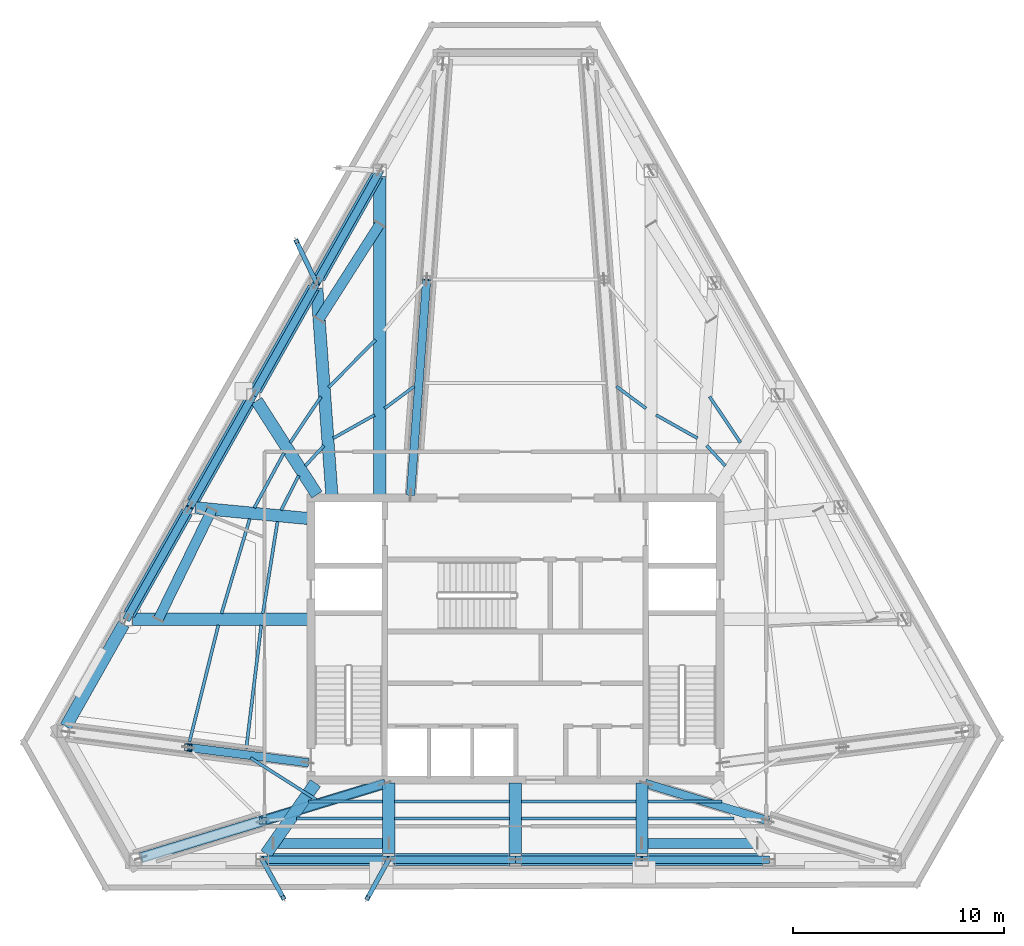
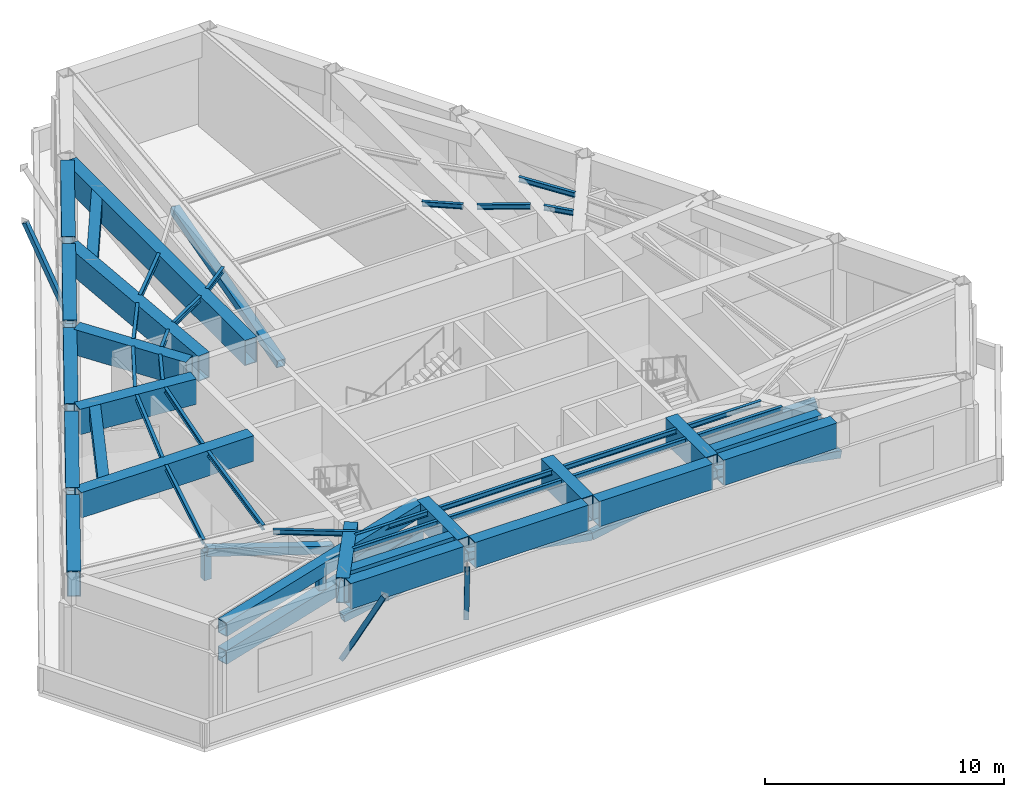
# One storey, part 2 of 13: 48 beams, 17 members.
"""IFC4 building model written with IfcOpenShell, lengths in metres."""

from ifc_helpers import new_model, si_unit, direction, frame, origin, origin_2d, place, context, subcontext, project, spatial, hollow_rectangle, i_section, extrude, material, material_profile, profile_set, type_object, element, save


model = new_model("IFC4")

# Units and contexts
model_context = context("Model", 3, precision=1e-05, world=origin(), true_north=direction((0.0, 1.0)))
body_context = subcontext(model_context, "Body", "Model", "MODEL_VIEW")
ifc_project = project(units=[si_unit("LENGTHUNIT", "METRE"), si_unit("AREAUNIT", "SQUARE_METRE"), si_unit("VOLUMEUNIT", "CUBIC_METRE"), si_unit("PLANEANGLEUNIT", "RADIAN"), si_unit("MASSUNIT", "GRAM", prefix="KILO")], contexts=[model_context])

# Site, building, storey
site_placement = place(None, origin())
site = spatial("IfcSite", under=ifc_project, at=site_placement, CompositionType="ELEMENT")
building_placement = place(site_placement, origin())
building = spatial("IfcBuilding", under=site, at=building_placement, Name="Kavelnor Concourse Tower", CompositionType="ELEMENT")
storey_placement = place(building_placement, frame((0.0, 0.0, 234.300048828125)))
storey = spatial("IfcBuildingStorey", under=building, at=storey_placement, Name="L59", CompositionType="ELEMENT", Elevation=234.300048828125)

# Beams
ifc_material = material(Name="Steel Grade 350", Category="steel")
ifc_material_profile_1 = material_profile(ifc_material, hollow_rectangle(XDim=0.47998046875, YDim=0.64990234375, WallThickness=0.030029296875, at=origin_2d()), Name="RHS 650x480x30")
ifc_profile_set_1 = profile_set([ifc_material_profile_1], Name="Steel Grade 350")
beam_type_1 = type_object("IfcBeamType", Name="BM-BELT-CHORD-650", PredefinedType="BEAM", material=ifc_profile_set_1)
beam_1_placement = place(storey_placement, frame((31.564208984375, 35.79296875, 4.635009765625), z_axis=(-0.537164077301, -0.843477773304, 0.0), x_axis=(0.843477773304, -0.537164077301, 0.0)))
element("IfcBeam", 1, at=beam_1_placement, inside=storey, type_object=beam_type_1, Name="L59 Perimeter Belt Truss Chord F0-B1", PredefinedType="BEAM", context=body_context, shape_type="SweptSolid", body=[
    extrude(hollow_rectangle(XDim=0.47998046875, YDim=0.64990234375, WallThickness=0.030029296875, at=origin_2d()), origin(), (0.0, 0.0, 1.0), 5.364013671875),
])
beam_2_placement = place(storey_placement, frame((23.602783203125, 22.25146484375, 4.635009765625), z_axis=(-0.439706396536, -0.89814157283, 0.0), x_axis=(0.89814157283, -0.439706396536, 0.0)))
element("IfcBeam", 2, at=beam_2_placement, inside=storey, type_object=beam_type_1, Name="L59 Perimeter Belt Truss Chord F0-B4", PredefinedType="BEAM", context=body_context, shape_type="SweptSolid", body=[
    extrude(hollow_rectangle(XDim=0.47998046875, YDim=0.64990234375, WallThickness=0.030029296875, at=origin_2d()), origin(), (0.0, 0.0, 1.0), 5.81396484375),
])
for number, where, z_axis, x_axis, name in (
    (3, (26.514892578125, 6.394775390625, 4.635009765625), (0.999999561292, -0.000936705062, 0.0), (0.000936705062, 0.999999561292, 0.0), "L59 Perimeter Belt Truss Chord F1-B1"),
    (4, (44.01171875, 6.3896484375, 4.635009765625), (0.999999561292, 0.000936705062, 0.0), (-0.000936705062, 0.999999561292, 0.0), "L59 Perimeter Belt Truss Chord F1-B4"),
):
    element("IfcBeam", number, at=place(storey_placement, frame(where, z_axis=z_axis, x_axis=x_axis)), inside=storey, type_object=beam_type_1, Name=name, PredefinedType="BEAM", context=body_context, shape_type="SweptSolid", body=[
        extrude(hollow_rectangle(XDim=0.47998046875, YDim=0.64990234375, WallThickness=0.030029296875, at=origin_2d()), origin(), (0.0, 0.0, 1.0), 5.473388671875),
    ])
ifc_material_profile_2 = material_profile(ifc_material, i_section(OverallWidth=0.14599609375, OverallDepth=0.256103515625, WebThickness=0.00634765625, FlangeThickness=0.010986328125, at=origin_2d()), Name="250UB37")
ifc_profile_set_2 = profile_set([ifc_material_profile_2], Name="Steel Grade 350")
beam_type_2 = type_object("IfcBeamType", Name="BM-JOIST-250", PredefinedType="JOIST", material=ifc_profile_set_2)
beam_3_placement = place(storey_placement, frame((25.427978515625, 10.447021484375, 4.83203125), z_axis=(0.844091252982, -0.536199549271, 0.0), x_axis=(0.536199549271, 0.844091252982, 0.0)))
element("IfcBeam", 5, at=beam_3_placement, inside=storey, type_object=beam_type_2, Name="L59 Secondary Composite Joist 01-1", PredefinedType="JOIST", context=body_context, shape_type="SweptSolid", body=[
    extrude(i_section(OverallWidth=0.14599609375, OverallDepth=0.256103515625, WebThickness=0.00634765625, FlangeThickness=0.010986328125, at=origin_2d()), origin(), (0.0, 0.0, 1.0), 3.693603515625),
])
beam_4_placement = place(storey_placement, frame((28.183349609375, 8.37890625, 4.83203125), z_axis=(0.999999653788, 0.000832119537, 0.0), x_axis=(-0.000832119537, 0.999999653788, 0.0)))
element("IfcBeam", 6, at=beam_4_placement, inside=storey, type_object=beam_type_2, Name="L59 Secondary Composite Joist 03-1", PredefinedType="JOIST", context=body_context, shape_type="SweptSolid", body=[
    extrude(i_section(OverallWidth=0.14599609375, OverallDepth=0.256103515625, WebThickness=0.00634765625, FlangeThickness=0.010986328125, at=origin_2d()), origin(), (0.0, 0.0, 1.0), 3.520751953125),
])
beam_5_placement = place(storey_placement, frame((27.6201171875, 7.571533203125, 4.83203125), z_axis=(1.0, 0.0, 0.0), x_axis=(0.0, 1.0, 0.0)))
element("IfcBeam", 7, at=beam_5_placement, inside=storey, type_object=beam_type_2, Name="L59 Secondary Composite Joist 03-2", PredefinedType="JOIST", context=body_context, shape_type="SweptSolid", body=[
    extrude(i_section(OverallWidth=0.14599609375, OverallDepth=0.256103515625, WebThickness=0.00634765625, FlangeThickness=0.010986328125, at=origin_2d()), origin(), (0.0, 0.0, 1.0), 4.083984375),
])
for number, where, z_axis, x_axis, name in (
    (8, (32.272216796875, 8.382080078125, 4.83203125), (1.0, 0.0, 0.0), (0.0, 1.0, 0.0), "L59 Secondary Composite Joist 04-1"),
    (9, (32.272216796875, 7.571533203125, 4.83203125), (1.0, 0.0, 0.0), (0.0, 1.0, 0.0), "L59 Secondary Composite Joist 04-2"),
    (10, (38.283935546875, 8.382080078125, 4.83203125), (1.0, 0.0, 0.0), (0.0, 1.0, 0.0), "L59 Secondary Composite Joist 05-1"),
    (11, (38.283935546875, 7.571533203125, 4.83203125), (1.0, 0.0, 0.0), (0.0, 1.0, 0.0), "L59 Secondary Composite Joist 05-2"),
):
    element("IfcBeam", number, at=place(storey_placement, frame(where, z_axis=z_axis, x_axis=x_axis)), inside=storey, type_object=beam_type_2, Name=name, PredefinedType="JOIST", context=body_context, shape_type="SweptSolid", body=[
        extrude(i_section(OverallWidth=0.14599609375, OverallDepth=0.256103515625, WebThickness=0.00634765625, FlangeThickness=0.010986328125, at=origin_2d()), origin(), (0.0, 0.0, 1.0), 5.44384765625),
    ])
beam_6_placement = place(storey_placement, frame((44.2958984375, 8.3818359375, 4.83203125), z_axis=(0.999999653788, -0.000832119537, 0.0), x_axis=(0.000832119537, 0.999999653788, 0.0)))
element("IfcBeam", 12, at=beam_6_placement, inside=storey, type_object=beam_type_2, Name="L59 Secondary Composite Joist 06-1", PredefinedType="JOIST", context=body_context, shape_type="SweptSolid", body=[
    extrude(i_section(OverallWidth=0.14599609375, OverallDepth=0.256103515625, WebThickness=0.00634765625, FlangeThickness=0.010986328125, at=origin_2d()), origin(), (0.0, 0.0, 1.0), 3.520751953125),
])
beam_7_placement = place(storey_placement, frame((44.2958984375, 7.571533203125, 4.83203125), z_axis=(1.0, 0.0, 0.0), x_axis=(0.0, 1.0, 0.0)))
element("IfcBeam", 13, at=beam_7_placement, inside=storey, type_object=beam_type_2, Name="L59 Secondary Composite Joist 06-2", PredefinedType="JOIST", context=body_context, shape_type="SweptSolid", body=[
    extrude(i_section(OverallWidth=0.14599609375, OverallDepth=0.256103515625, WebThickness=0.00634765625, FlangeThickness=0.010986328125, at=origin_2d()), origin(), (0.0, 0.0, 1.0), 4.083984375),
])
beam_8_placement = place(storey_placement, frame((47.970703125, 24.31591796875, 4.83203125), z_axis=(-0.675978545961, 0.73692130204, 0.0), x_axis=(-0.73692130204, -0.675978545961, 0.0)))
element("IfcBeam", 14, at=beam_8_placement, inside=storey, type_object=beam_type_2, Name="L59 Secondary Composite Joist 12-1", PredefinedType="JOIST", context=body_context, shape_type="SweptSolid", body=[
    extrude(i_section(OverallWidth=0.14599609375, OverallDepth=0.256103515625, WebThickness=0.00634765625, FlangeThickness=0.010986328125, at=origin_2d()), origin(), (0.0, 0.0, 1.0), 1.305908203125),
])
beam_9_placement = place(storey_placement, frame((48.69140625, 25.413818359375, 4.83203125), z_axis=(-0.556388209709, 0.830922475383, 0.0), x_axis=(-0.830922475383, -0.556388209709, 0.0)))
element("IfcBeam", 15, at=beam_9_placement, inside=storey, type_object=beam_type_2, Name="L59 Secondary Composite Joist 12-2", PredefinedType="JOIST", context=body_context, shape_type="SweptSolid", body=[
    extrude(i_section(OverallWidth=0.14599609375, OverallDepth=0.256103515625, WebThickness=0.00634765625, FlangeThickness=0.010986328125, at=origin_2d()), origin(), (0.0, 0.0, 1.0), 2.635009765625),
])
beam_10_placement = place(storey_placement, frame((46.6484375, 25.626708984375, 4.83203125), z_axis=(-0.871555293904, 0.490297225841, 0.0), x_axis=(-0.490297225841, -0.871555293904, 0.0)))
element("IfcBeam", 16, at=beam_10_placement, inside=storey, type_object=beam_type_2, Name="L59 Secondary Composite Joist 13-1", PredefinedType="JOIST", context=body_context, shape_type="SweptSolid", body=[
    extrude(i_section(OverallWidth=0.14599609375, OverallDepth=0.256103515625, WebThickness=0.00634765625, FlangeThickness=0.010986328125, at=origin_2d()), origin(), (0.0, 0.0, 1.0), 2.254638671875),
])
for number, where, z_axis, x_axis, name in (
    (17, (44.2080078125, 27.041015625, 4.83203125), (-0.801989040368, 0.597338747387, 0.0), (-0.597338747387, -0.801989040368, 0.0), "L59 Secondary Composite Joist 14-1"),
    (18, (33.194580078125, 28.085693359375, 4.83203125), (-0.801989040368, -0.597338747387, 0.0), (0.597338747387, -0.801989040368, 0.0), "L59 Secondary Composite Joist 16-1"),
):
    element("IfcBeam", number, at=place(storey_placement, frame(where, z_axis=z_axis, x_axis=x_axis)), inside=storey, type_object=beam_type_2, Name=name, PredefinedType="JOIST", context=body_context, shape_type="SweptSolid", body=[
        extrude(i_section(OverallWidth=0.14599609375, OverallDepth=0.256103515625, WebThickness=0.00634765625, FlangeThickness=0.010986328125, at=origin_2d()), origin(), (0.0, 0.0, 1.0), 1.748779296875),
    ])
beam_11_placement = place(storey_placement, frame((31.316650390625, 26.732177734375, 4.83203125), z_axis=(-0.871555293904, -0.490297225841, 0.0), x_axis=(0.490297225841, -0.871555293904, 0.0)))
element("IfcBeam", 19, at=beam_11_placement, inside=storey, type_object=beam_type_2, Name="L59 Secondary Composite Joist 17-1", PredefinedType="JOIST", context=body_context, shape_type="SweptSolid", body=[
    extrude(i_section(OverallWidth=0.14599609375, OverallDepth=0.256103515625, WebThickness=0.00634765625, FlangeThickness=0.010986328125, at=origin_2d()), origin(), (0.0, 0.0, 1.0), 2.254638671875),
])
beam_12_placement = place(storey_placement, frame((31.364501953125, 30.298583984375, 4.83203125), z_axis=(-0.703096674322, -0.71109427403, 0.0), x_axis=(0.71109427403, -0.703096674322, 0.0)))
element("IfcBeam", 20, at=beam_12_placement, inside=storey, type_object=beam_type_2, Name="L59 Secondary Composite Joist 17-2", PredefinedType="JOIST", context=body_context, shape_type="SweptSolid", body=[
    extrude(i_section(OverallWidth=0.14599609375, OverallDepth=0.256103515625, WebThickness=0.00634765625, FlangeThickness=0.010986328125, at=origin_2d()), origin(), (0.0, 0.0, 1.0), 3.1748046875),
])
beam_13_placement = place(storey_placement, frame((28.912109375, 25.2783203125, 4.83203125), z_axis=(-0.675978545961, -0.73692130204, 0.0), x_axis=(0.73692130204, -0.675978545961, 0.0)))
element("IfcBeam", 21, at=beam_13_placement, inside=storey, type_object=beam_type_2, Name="L59 Secondary Composite Joist 18-1", PredefinedType="JOIST", context=body_context, shape_type="SweptSolid", body=[
    extrude(i_section(OverallWidth=0.14599609375, OverallDepth=0.256103515625, WebThickness=0.00634765625, FlangeThickness=0.010986328125, at=origin_2d()), origin(), (0.0, 0.0, 1.0), 1.305908203125),
])
beam_14_placement = place(storey_placement, frame((28.774658203125, 27.603271484375, 4.83203125), z_axis=(-0.556388209709, -0.830922475383, 0.0), x_axis=(0.830922475383, -0.556388209709, 0.0)))
element("IfcBeam", 22, at=beam_14_placement, inside=storey, type_object=beam_type_2, Name="L59 Secondary Composite Joist 18-2", PredefinedType="JOIST", context=body_context, shape_type="SweptSolid", body=[
    extrude(i_section(OverallWidth=0.14599609375, OverallDepth=0.256103515625, WebThickness=0.00634765625, FlangeThickness=0.010986328125, at=origin_2d()), origin(), (0.0, 0.0, 1.0), 2.635009765625),
])
beam_15_placement = place(storey_placement, frame((27.70947265625, 23.85302734375, 4.83203125), z_axis=(-0.449646033907, -0.893206831698, 0.0), x_axis=(0.893206831698, -0.449646033907, 0.0)))
element("IfcBeam", 23, at=beam_15_placement, inside=storey, type_object=beam_type_2, Name="L59 Secondary Composite Joist 19-1", PredefinedType="JOIST", context=body_context, shape_type="SweptSolid", body=[
    extrude(i_section(OverallWidth=0.14599609375, OverallDepth=0.256103515625, WebThickness=0.00634765625, FlangeThickness=0.010986328125, at=origin_2d()), origin(), (0.0, 0.0, 1.0), 1.845458984375),
])
beam_16_placement = place(storey_placement, frame((27.015380859375, 24.927978515625, 4.83203125), z_axis=(-0.475799768285, -0.87955362571, 0.0), x_axis=(0.87955362571, -0.475799768285, 0.0)))
element("IfcBeam", 24, at=beam_16_placement, inside=storey, type_object=beam_type_2, Name="L59 Secondary Composite Joist 19-2", PredefinedType="JOIST", context=body_context, shape_type="SweptSolid", body=[
    extrude(i_section(OverallWidth=0.14599609375, OverallDepth=0.256103515625, WebThickness=0.00634765625, FlangeThickness=0.010986328125, at=origin_2d()), origin(), (0.0, 0.0, 1.0), 2.961669921875),
])
beam_17_placement = place(storey_placement, frame((26.70751953125, 21.67041015625, 4.83203125), z_axis=(-0.156888269668, -0.987616358127, 0.0), x_axis=(0.987616358127, -0.156888269668, 0.0)))
element("IfcBeam", 25, at=beam_17_placement, inside=storey, type_object=beam_type_2, Name="L59 Secondary Composite Joist 20-1", PredefinedType="JOIST", context=body_context, shape_type="SweptSolid", body=[
    extrude(i_section(OverallWidth=0.14599609375, OverallDepth=0.256103515625, WebThickness=0.00634765625, FlangeThickness=0.010986328125, at=origin_2d()), origin(), (0.0, 0.0, 1.0), 4.414794921875),
])
beam_18_placement = place(storey_placement, frame((25.389892578125, 21.80078125, 4.83203125), z_axis=(-0.285768256274, -0.958298754933, 0.0), x_axis=(0.958298754933, -0.285768256274, 0.0)))
element("IfcBeam", 26, at=beam_18_placement, inside=storey, type_object=beam_type_2, Name="L59 Secondary Composite Joist 20-2", PredefinedType="JOIST", context=body_context, shape_type="SweptSolid", body=[
    extrude(i_section(OverallWidth=0.14599609375, OverallDepth=0.256103515625, WebThickness=0.00634765625, FlangeThickness=0.010986328125, at=origin_2d()), origin(), (0.0, 0.0, 1.0), 4.694580078125),
])
beam_19_placement = place(storey_placement, frame((25.935791015625, 16.747802734375, 4.83203125), z_axis=(-0.120708871955, -0.992687951086, 0.0), x_axis=(0.992687951086, -0.120708871955, 0.0)))
element("IfcBeam", 27, at=beam_19_placement, inside=storey, type_object=beam_type_2, Name="L59 Secondary Composite Joist 21-1", PredefinedType="JOIST", context=body_context, shape_type="SweptSolid", body=[
    extrude(i_section(OverallWidth=0.14599609375, OverallDepth=0.256103515625, WebThickness=0.00634765625, FlangeThickness=0.010986328125, at=origin_2d()), origin(), (0.0, 0.0, 1.0), 5.909912109375),
])
beam_20_placement = place(storey_placement, frame((23.899169921875, 16.754150390625, 4.83203125), z_axis=(-0.24001409996, -0.97076940198, 0.0), x_axis=(0.97076940198, -0.24001409996, 0.0)))
element("IfcBeam", 28, at=beam_20_placement, inside=storey, type_object=beam_type_2, Name="L59 Secondary Composite Joist 21-2", PredefinedType="JOIST", context=body_context, shape_type="SweptSolid", body=[
    extrude(i_section(OverallWidth=0.14599609375, OverallDepth=0.256103515625, WebThickness=0.00634765625, FlangeThickness=0.010986328125, at=origin_2d()), origin(), (0.0, 0.0, 1.0), 5.697265625),
])
ifc_material_profile_3 = material_profile(ifc_material, hollow_rectangle(XDim=0.5, YDim=0.699951171875, WallThickness=0.031982421875, at=origin_2d()), Name="RHS 700x500x32")
ifc_profile_set_3 = profile_set([ifc_material_profile_3], Name="Steel Grade 350")
beam_type_3 = type_object("IfcBeamType", Name="BM-OUTRIG-CHORD-700", PredefinedType="BEAM", material=ifc_profile_set_3)
for number, where, z_axis, x_axis, name in (
    (29, (31.792724609375, 9.231689453125, 3.179931640625), (-0.956481245835, -0.291793807963, 0.0), (0.291793807963, -0.956481245835, 0.0), "L59 Outrigger Truss Bottom Chord F1A"),
    (30, (31.792724609375, 9.231689453125, 4.599853515625), (-0.956481245835, -0.291793807963, 0.0), (0.291793807963, -0.956481245835, 0.0), "L59 Outrigger Truss Top Chord F1A"),
):
    element("IfcBeam", number, at=place(storey_placement, frame(where, z_axis=z_axis, x_axis=x_axis)), inside=storey, type_object=beam_type_3, Name=name, PredefinedType="BEAM", context=body_context, shape_type="SweptSolid", body=[
        extrude(hollow_rectangle(XDim=0.5, YDim=0.699951171875, WallThickness=0.031982421875, at=origin_2d()), origin(), (0.0, 0.0, 1.0), 12.0927734375),
    ])
ifc_material_profile_4 = material_profile(ifc_material, hollow_rectangle(XDim=0.580078125, YDim=1.300048828125, WallThickness=0.0400390625, at=origin_2d()), Name="RHS 1300x580x40")
ifc_profile_set_4 = profile_set([ifc_material_profile_4], Name="Steel Grade 350")
beam_type_4 = type_object("IfcBeamType", Name="BM-SETBACK-XFER-1350", PredefinedType="BEAM", material=ifc_profile_set_4)
beam_21_placement = place(storey_placement, frame((31.433837890625, 38.09033203125, 4.31005859375), z_axis=(-0.491904525348, -0.870649147442, 0.0), x_axis=(0.870649147442, -0.491904525348, 0.0)))
element("IfcBeam", 31, at=beam_21_placement, inside=storey, type_object=beam_type_4, Name="L59 Perimeter Tube Spandrel Beam F0-B1", PredefinedType="BEAM", context=body_context, shape_type="SweptSolid", body=[
    extrude(hollow_rectangle(XDim=0.580078125, YDim=1.300048828125, WallThickness=0.0400390625, at=origin_2d()), origin(), (0.0, 0.0, 1.0), 5.58349609375),
])
for number, where, z_axis, x_axis, name in (
    (32, (28.426513671875, 32.767578125, 4.31005859375), (-0.491937669021, -0.870630420901, 0.0), (0.870630420901, -0.491937669021, 0.0), "L59 Perimeter Tube Spandrel Beam F0-B2"),
    (33, (25.4189453125, 27.44482421875, 4.31005859375), (-0.491885799633, -0.870659726942, 0.0), (0.870659726942, -0.491885799633, 0.0), "L59 Perimeter Tube Spandrel Beam F0-B3"),
):
    element("IfcBeam", number, at=place(storey_placement, frame(where, z_axis=z_axis, x_axis=x_axis)), inside=storey, type_object=beam_type_4, Name=name, PredefinedType="BEAM", context=body_context, shape_type="SweptSolid", body=[
        extrude(hollow_rectangle(XDim=0.580078125, YDim=1.300048828125, WallThickness=0.0400390625, at=origin_2d()), origin(), (0.0, 0.0, 1.0), 5.583740234375),
    ])
for number, where, z_axis, x_axis, name in (
    (34, (22.41162109375, 22.121826171875, 4.31005859375), (-0.491904525348, -0.870649147442, 0.0), (0.870649147442, -0.491904525348, 0.0), "L59 Perimeter Tube Spandrel Beam F0-B4"),
    (35, (19.404296875, 16.799072265625, 4.31005859375), (-0.491904525348, -0.870649147442, 0.0), (0.870649147442, -0.491904525348, 0.0), "L59 Perimeter Tube Spandrel Beam F0-B5"),
):
    element("IfcBeam", number, at=place(storey_placement, frame(where, z_axis=z_axis, x_axis=x_axis)), inside=storey, type_object=beam_type_4, Name=name, PredefinedType="BEAM", context=body_context, shape_type="SweptSolid", body=[
        extrude(hollow_rectangle(XDim=0.580078125, YDim=1.300048828125, WallThickness=0.0400390625, at=origin_2d()), origin(), (0.0, 0.0, 1.0), 5.58349609375),
    ])
for number, where, z_axis, x_axis, name in (
    (36, (26.2412109375, 5.623291015625, 4.31005859375), (1.0, 0.0, 0.0), (0.0, 1.0, 0.0), "L59 Perimeter Tube Spandrel Beam F1-B1"),
    (37, (32.253173828125, 5.623291015625, 4.31005859375), (1.0, 0.0, 0.0), (0.0, 1.0, 0.0), "L59 Perimeter Tube Spandrel Beam F1-B2"),
    (38, (38.264892578125, 5.623291015625, 4.31005859375), (1.0, 0.0, 0.0), (0.0, 1.0, 0.0), "L59 Perimeter Tube Spandrel Beam F1-B3"),
    (39, (44.27685546875, 5.623291015625, 4.31005859375), (1.0, 0.0, 0.0), (0.0, 1.0, 0.0), "L59 Perimeter Tube Spandrel Beam F1-B4"),
):
    element("IfcBeam", number, at=place(storey_placement, frame(where, z_axis=z_axis, x_axis=x_axis)), inside=storey, type_object=beam_type_4, Name=name, PredefinedType="BEAM", context=body_context, shape_type="SweptSolid", body=[
        extrude(hollow_rectangle(XDim=0.580078125, YDim=1.300048828125, WallThickness=0.0400390625, at=origin_2d()), origin(), (0.0, 0.0, 1.0), 5.48193359375),
    ])
beam_22_placement = place(storey_placement, frame((31.564208984375, 22.93994140625, 4.31005859375), z_axis=(0.0, 1.0, 0.0), x_axis=(-1.0, 0.0, 0.0)))
element("IfcBeam", 40, at=beam_22_placement, inside=storey, type_object=beam_type_4, Name="L59 Primary Floor Girder F0-B1", PredefinedType="BEAM", context=body_context, shape_type="SweptSolid", body=[
    extrude(hollow_rectangle(XDim=0.580078125, YDim=1.300048828125, WallThickness=0.0400390625, at=origin_2d()), origin(), (0.0, 0.0, 1.0), 15.12109375),
])
beam_23_placement = place(storey_placement, frame((29.28955078125, 22.940185546875, 4.31005859375), z_axis=(-0.072665140832, 0.997356394328, 0.0), x_axis=(-0.997356394328, -0.072665140832, 0.0)))
element("IfcBeam", 41, at=beam_23_placement, inside=storey, type_object=beam_type_4, Name="L59 Primary Floor Girder F0-B2", PredefinedType="BEAM", context=body_context, shape_type="SweptSolid", body=[
    extrude(hollow_rectangle(XDim=0.580078125, YDim=1.300048828125, WallThickness=0.0400390625, at=origin_2d()), origin(), (0.0, 0.0, 1.0), 9.823974609375),
])
beam_24_placement = place(storey_placement, frame((28.5810546875, 22.9462890625, 4.31005859375), z_axis=(-0.539667788652, 0.841878065929, 0.0), x_axis=(-0.841878065929, -0.539667788652, 0.0)))
element("IfcBeam", 42, at=beam_24_placement, inside=storey, type_object=beam_type_4, Name="L59 Primary Floor Girder F0-B3", PredefinedType="BEAM", context=body_context, shape_type="SweptSolid", body=[
    extrude(hollow_rectangle(XDim=0.580078125, YDim=1.300048828125, WallThickness=0.0400390625, at=origin_2d()), origin(), (0.0, 0.0, 1.0), 5.301025390625),
])
beam_25_placement = place(storey_placement, frame((28.139892578125, 21.818359375, 4.31005859375), z_axis=(-0.9954747803, 0.095026111077, 0.0), x_axis=(-0.095026111077, -0.9954747803, 0.0)))
element("IfcBeam", 43, at=beam_25_placement, inside=storey, type_object=beam_type_4, Name="L59 Primary Floor Girder F0-B4", PredefinedType="BEAM", context=body_context, shape_type="SweptSolid", body=[
    extrude(hollow_rectangle(XDim=0.580078125, YDim=1.300048828125, WallThickness=0.0400390625, at=origin_2d()), origin(), (0.0, 0.0, 1.0), 5.36181640625),
])
beam_26_placement = place(storey_placement, frame((28.139892578125, 17.02978515625, 4.31005859375), z_axis=(-1.0, 0.0, 0.0), x_axis=(0.0, -1.0, 0.0)))
element("IfcBeam", 44, at=beam_26_placement, inside=storey, type_object=beam_type_4, Name="L59 Primary Floor Girder F0-B5", PredefinedType="BEAM", context=body_context, shape_type="SweptSolid", body=[
    extrude(hollow_rectangle(XDim=0.580078125, YDim=1.300048828125, WallThickness=0.0400390625, at=origin_2d()), origin(), (0.0, 0.0, 1.0), 8.34521484375),
])
beam_27_placement = place(storey_placement, frame((28.509521484375, 9.252685546875, 4.31005859375), z_axis=(-0.572326881385, -0.820025573287, 0.0), x_axis=(0.820025573287, -0.572326881385, 0.0)))
element("IfcBeam", 45, at=beam_27_placement, inside=storey, type_object=beam_type_4, Name="L59 Primary Floor Girder F1-B1", PredefinedType="BEAM", context=body_context, shape_type="SweptSolid", body=[
    extrude(hollow_rectangle(XDim=0.580078125, YDim=1.300048828125, WallThickness=0.0400390625, at=origin_2d()), origin(), (0.0, 0.0, 1.0), 4.100341796875),
])
for number, where, z_axis, x_axis, name in (
    (46, (31.98828125, 9.260009765625, 4.31005859375), (0.0, -1.0, 0.0), (1.0, 0.0, 0.0), "L59 Primary Floor Girder F1-B2"),
    (47, (38.0, 9.260009765625, 4.31005859375), (0.0, -1.0, 0.0), (1.0, 0.0, 0.0), "L59 Primary Floor Girder F1-B3"),
    (48, (44.01171875, 9.260009765625, 4.31005859375), (0.0, -1.0, 0.0), (1.0, 0.0, 0.0), "L59 Primary Floor Girder F1-B4"),
):
    element("IfcBeam", number, at=place(storey_placement, frame(where, z_axis=z_axis, x_axis=x_axis)), inside=storey, type_object=beam_type_4, Name=name, PredefinedType="BEAM", context=body_context, shape_type="SweptSolid", body=[
        extrude(hollow_rectangle(XDim=0.580078125, YDim=1.300048828125, WallThickness=0.0400390625, at=origin_2d()), origin(), (0.0, 0.0, 1.0), 3.376708984375),
    ])

# Members
ifc_material_profile_5 = material_profile(ifc_material, hollow_rectangle(XDim=0.219970703125, YDim=0.219970703125, WallThickness=0.013916015625, at=origin_2d()), Name="SHS 220x220x14")
ifc_profile_set_5 = profile_set([ifc_material_profile_5], Name="Steel Grade 350")
member_type_1 = type_object("IfcMemberType", Name="MBR-BALC-STRUT-220", PredefinedType="STRUT", material=ifc_profile_set_5)
member_1_placement = place(storey_placement, frame((28.556884765625, 32.998291015625, 1.050048828125), z_axis=(-0.210010248672, 0.438469894993, 0.873864890379), x_axis=(-0.901888083807, -0.431969772424, 0.0)))
element("IfcMember", 49, at=member_1_placement, inside=storey, type_object=member_type_1, Name="L59 Tree Balcony Raking Knee Strut 1-B", PredefinedType="STRUT", context=body_context, shape_type="SweptSolid", body=[
    extrude(hollow_rectangle(XDim=0.219970703125, YDim=0.219970703125, WallThickness=0.013916015625, at=origin_2d()), origin(), (0.0, 0.0, 1.0), 4.525634765625),
])
member_2_placement = place(storey_placement, frame((25.976318359375, 5.623291015625, 1.050048828125), z_axis=(0.224965966009, -0.406807989555, 0.885379903641), x_axis=(0.875103966437, 0.483934962496, 0.0)))
element("IfcMember", 50, at=member_2_placement, inside=storey, type_object=member_type_1, Name="L59 Tree Balcony Raking Knee Strut 2-A", PredefinedType="STRUT", context=body_context, shape_type="SweptSolid", body=[
    extrude(hollow_rectangle(XDim=0.219970703125, YDim=0.219970703125, WallThickness=0.013916015625, at=origin_2d()), origin(), (0.0, 0.0, 1.0), 4.466796875),
])
member_3_placement = place(storey_placement, frame((31.98828125, 5.623291015625, 1.050048828125), z_axis=(-0.225086318366, -0.409902648137, 0.883920793021), x_axis=(0.876540905415, -0.481327374179, 0.0)))
element("IfcMember", 51, at=member_3_placement, inside=storey, type_object=member_type_1, Name="L59 Tree Balcony Raking Knee Strut 2-B", PredefinedType="STRUT", context=body_context, shape_type="SweptSolid", body=[
    extrude(hollow_rectangle(XDim=0.219970703125, YDim=0.219970703125, WallThickness=0.013916015625, at=origin_2d()), origin(), (0.0, 0.0, 1.0), 4.47412109375),
])
ifc_material_profile_6 = material_profile(ifc_material, hollow_rectangle(XDim=0.360107421875, YDim=0.360107421875, WallThickness=0.02197265625, at=origin_2d()), Name="SHS 360x360x22")
ifc_profile_set_6 = profile_set([ifc_material_profile_6], Name="Steel Grade 350")
member_type_2 = type_object("IfcMemberType", Name="MBR-BELT-DIAG-360", PredefinedType="BRACE", material=ifc_profile_set_6)
member_4_placement = place(storey_placement, frame((31.564208984375, 38.321044921875, 3.179931640625), z_axis=(-0.483714646971, -0.856141153861, 0.181775864656), x_axis=(0.870646127451, -0.49190987056, 0.0)))
element("IfcMember", 52, at=member_4_placement, inside=storey, type_object=member_type_2, Name="L59 Perimeter Belt Truss Diagonal F0-B1", PredefinedType="BRACE", context=body_context, shape_type="SweptSolid", body=[
    extrude(hollow_rectangle(XDim=0.360107421875, YDim=0.360107421875, WallThickness=0.02197265625, at=origin_2d()), origin(), (0.0, 0.0, 1.0), 6.217041015625),
])
for number, where, z_axis, x_axis, name in (
    (53, (25.54931640625, 27.675537109375, 3.179931640625), (0.483744726903, 0.856124891301, 0.181772411789), (-0.870629024251, 0.491940140801, 0.0), "L59 Perimeter Belt Truss Diagonal F0-B2"),
    (54, (25.54931640625, 27.675537109375, 3.179931640625), (-0.483698385055, -0.856151639013, 0.181769753566), (0.870655790046, -0.49189276805, 0.0), "L59 Perimeter Belt Truss Diagonal F0-B3"),
):
    element("IfcMember", number, at=place(storey_placement, frame(where, z_axis=z_axis, x_axis=x_axis)), inside=storey, type_object=member_type_2, Name=name, PredefinedType="BRACE", context=body_context, shape_type="SweptSolid", body=[
        extrude(hollow_rectangle(XDim=0.360107421875, YDim=0.360107421875, WallThickness=0.02197265625, at=origin_2d()), origin(), (0.0, 0.0, 1.0), 6.21728515625),
    ])
member_5_placement = place(storey_placement, frame((19.53466796875, 17.02978515625, 3.179931640625), z_axis=(0.483714646971, 0.856141153861, 0.181775864656), x_axis=(-0.870646127451, 0.49190987056, 0.0)))
element("IfcMember", 55, at=member_5_placement, inside=storey, type_object=member_type_2, Name="L59 Perimeter Belt Truss Diagonal F0-B4", PredefinedType="BRACE", context=body_context, shape_type="SweptSolid", body=[
    extrude(hollow_rectangle(XDim=0.360107421875, YDim=0.360107421875, WallThickness=0.02197265625, at=origin_2d()), origin(), (0.0, 0.0, 1.0), 6.217041015625),
])
member_6_placement = place(storey_placement, frame((25.976318359375, 5.623291015625, 3.179931640625), z_axis=(0.982786688825, 0.0, 0.184743942439), x_axis=(0.0, 1.0, 0.0)))
element("IfcMember", 56, at=member_6_placement, inside=storey, type_object=member_type_2, Name="L59 Perimeter Belt Truss Diagonal F1-B1", PredefinedType="BRACE", context=body_context, shape_type="SweptSolid", body=[
    extrude(hollow_rectangle(XDim=0.360107421875, YDim=0.360107421875, WallThickness=0.02197265625, at=origin_2d()), origin(), (0.0, 0.0, 1.0), 6.1171875),
])
for number, where, z_axis, x_axis, name in (
    (57, (38.0, 5.623291015625, 3.179931640625), (-0.9827853266, 0.0, 0.184751188955), (0.0, -1.0, 0.0), "L59 Perimeter Belt Truss Diagonal F1-B2"),
    (58, (38.0, 5.623291015625, 3.179931640625), (0.9827853266, 0.0, 0.184751188955), (0.0, 1.0, 0.0), "L59 Perimeter Belt Truss Diagonal F1-B3"),
):
    element("IfcMember", number, at=place(storey_placement, frame(where, z_axis=z_axis, x_axis=x_axis)), inside=storey, type_object=member_type_2, Name=name, PredefinedType="BRACE", context=body_context, shape_type="SweptSolid", body=[
        extrude(hollow_rectangle(XDim=0.360107421875, YDim=0.360107421875, WallThickness=0.02197265625, at=origin_2d()), origin(), (0.0, 0.0, 1.0), 6.116943359375),
    ])
member_7_placement = place(storey_placement, frame((50.023681640625, 5.623291015625, 3.179931640625), z_axis=(-0.982786688825, 0.0, 0.184743942439), x_axis=(0.0, -1.0, 0.0)))
element("IfcMember", 59, at=member_7_placement, inside=storey, type_object=member_type_2, Name="L59 Perimeter Belt Truss Diagonal F1-B4", PredefinedType="BRACE", context=body_context, shape_type="SweptSolid", body=[
    extrude(hollow_rectangle(XDim=0.360107421875, YDim=0.360107421875, WallThickness=0.02197265625, at=origin_2d()), origin(), (0.0, 0.0, 1.0), 6.1171875),
])
ifc_material_profile_7 = material_profile(ifc_material, hollow_rectangle(XDim=0.39990234375, YDim=0.39990234375, WallThickness=0.02490234375, at=origin_2d()), Name="SHS 400x400x25")
ifc_profile_set_7 = profile_set([ifc_material_profile_7], Name="Steel Grade 350")
member_type_3 = type_object("IfcMemberType", Name="MBR-OUTRIG-DIAG-400", PredefinedType="BRACE", material=ifc_profile_set_7)
member_8_placement = place(storey_placement, frame((33.025390625, 22.940185546875, 3.179931640625), z_axis=(0.073773452989, 0.987790439137, 0.13721343223), x_axis=(-0.997222664274, 0.074477901817, 0.0)))
element("IfcMember", 60, at=member_8_placement, inside=storey, type_object=member_type_3, Name="L59 Outrigger Truss Inner Diagonal F0A", PredefinedType="BRACE", context=body_context, shape_type="SweptSolid", body=[
    extrude(hollow_rectangle(XDim=0.39990234375, YDim=0.39990234375, WallThickness=0.02490234375, at=origin_2d()), origin(), (0.0, 0.0, 1.0), 10.348388671875),
])
member_9_placement = place(storey_placement, frame((28.1396484375, 10.2216796875, 3.179931640625), z_axis=(-0.962721197079, 0.123150795308, 0.240835583561), x_axis=(-0.126885553761, -0.991917363618, 0.0)))
element("IfcMember", 61, at=member_9_placement, inside=storey, type_object=member_type_3, Name="L59 Outrigger Truss Inner Diagonal F0B", PredefinedType="BRACE", context=body_context, shape_type="SweptSolid", body=[
    extrude(hollow_rectangle(XDim=0.39990234375, YDim=0.39990234375, WallThickness=0.02490234375, at=origin_2d()), origin(), (0.0, 0.0, 1.0), 5.895751953125),
])
for number, where, z_axis, x_axis, name in (
    (62, (31.792724609375, 9.231689453125, 3.179931640625), (-0.931144212054, -0.284083891443, 0.228619332037), (0.291812277974, -0.956475610993, 0.0), "L59 Outrigger Truss Inner Diagonal F1A"),
    (63, (44.207275390625, 9.231689453125, 3.179931640625), (0.931144212054, -0.284083891443, 0.228619332037), (0.291812277974, 0.956475610993, 0.0), "L59 Outrigger Truss Inner Diagonal F1B"),
):
    element("IfcMember", number, at=place(storey_placement, frame(where, z_axis=z_axis, x_axis=x_axis)), inside=storey, type_object=member_type_3, Name=name, PredefinedType="BRACE", context=body_context, shape_type="SweptSolid", body=[
        extrude(hollow_rectangle(XDim=0.39990234375, YDim=0.39990234375, WallThickness=0.02490234375, at=origin_2d()), origin(), (0.0, 0.0, 1.0), 6.2109375),
    ])
ifc_material_profile_8 = material_profile(ifc_material, hollow_rectangle(XDim=0.340087890625, YDim=0.340087890625, WallThickness=0.02001953125, at=origin_2d()), Name="SHS 340x340x20")
ifc_profile_set_8 = profile_set([ifc_material_profile_8], Name="Steel Grade 350")
member_type_4 = type_object("IfcMemberType", Name="MBR-TRUSS-POST-340", PredefinedType="POST", material=ifc_profile_set_8)
for number, where, z_axis, x_axis, name in (
    (64, (22.463623046875, 10.94775390625, 3.179931640625), (0.0, 0.0, 1.0), (1.0, 0.0, 0.0), "L59 Outrigger Truss Web Post F0B"),
    (65, (26.009521484375, 7.46728515625, 3.179931640625), (0.0, 0.0, 1.0), (1.0, 0.0, 0.0), "L59 Outrigger Truss Web Post F1A"),
):
    element("IfcMember", number, at=place(storey_placement, frame(where, z_axis=z_axis, x_axis=x_axis)), inside=storey, type_object=member_type_4, Name=name, PredefinedType="POST", context=body_context, shape_type="SweptSolid", body=[
        extrude(hollow_rectangle(XDim=0.340087890625, YDim=0.340087890625, WallThickness=0.02001953125, at=origin_2d()), origin(), (0.0, 0.0, 1.0), 1.419921875),
    ])

save(model, "model.ifc")
